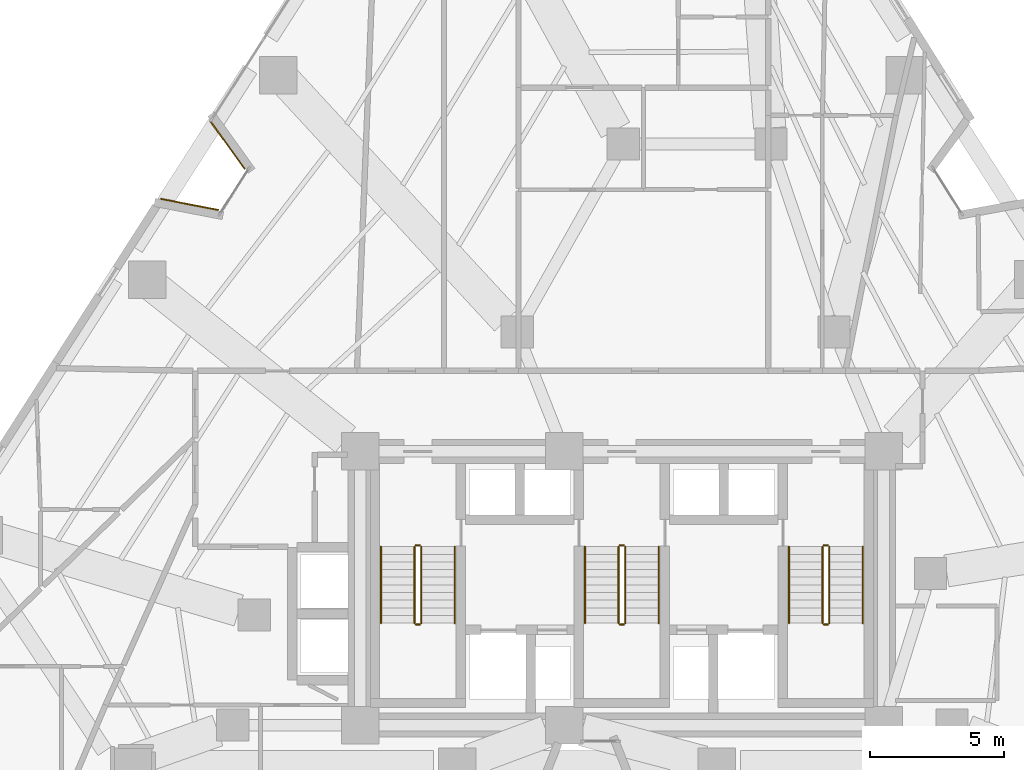
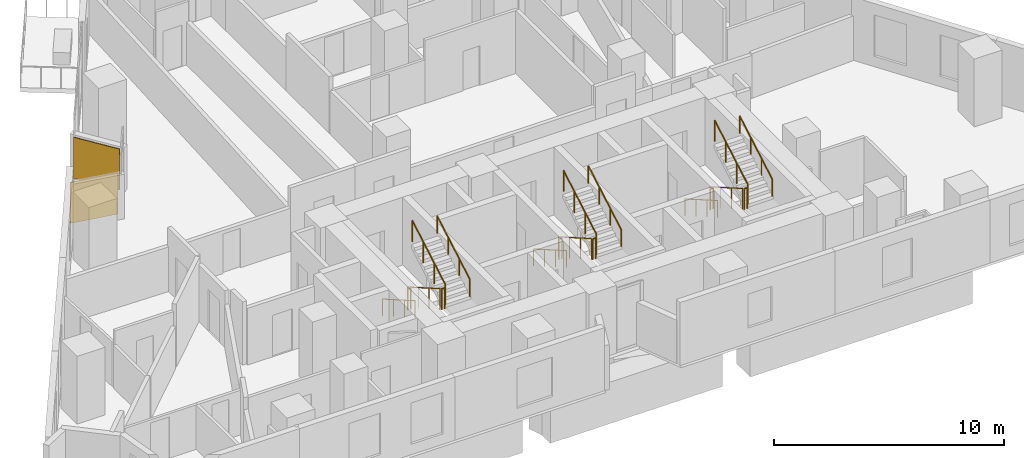
# One storey, part 12 of 13: 18 railings, 2 coverings.
"""IFC4 building model written with IfcOpenShell, lengths in metres."""

import ifcopenshell
import ifcopenshell.guid

model = None  # the IFC model being written
_history = None  # IfcOwnerHistory: only IFC2X3 demands one
_inside = {}  # id of a spatial element -> (the spatial element, [elements in it])
_under = {}  # id of a project, library or spatial element -> (it, [spatial elements below it])
_declared = {}  # id of a project -> (the project, [libraries it declares])
_typed = {}  # id of a type object -> (the type object, [elements of that type])
_made_of = {}  # id of a material, layer set ... -> (it, [elements and type objects made of it])


def new_model(schema):
    """Start an empty IFC model of exactly this schema.

    Asked for "IFC4X3", IfcOpenShell would pick the latest addendum, in which some entities
    have other attributes; the version numbers below select the first issue.
    IFC2X3 requires an IfcOwnerHistory on every rooted entity: one is made here for all.
    """
    global model, _history
    if schema == "IFC4X3":
        model = ifcopenshell.file(schema_version=(4, 3, 0, 0))
    else:
        model = ifcopenshell.file(schema=schema)
    _inside.clear()
    _under.clear()
    _declared.clear()
    _typed.clear()
    _made_of.clear()
    _history = None
    if model.schema == "IFC2X3":
        org = make("IfcOrganization", Name="unknown")
        user = make(
            "IfcPersonAndOrganization",
            ThePerson=make("IfcPerson", FamilyName="unknown"),
            TheOrganization=org,
        )
        app = make(
            "IfcApplication",
            ApplicationDeveloper=org,
            Version="unknown",
            ApplicationFullName="unknown",
            ApplicationIdentifier="unknown",
        )
        _history = make(
            "IfcOwnerHistory",
            OwningUser=user,
            OwningApplication=app,
            ChangeAction="ADDED",
            CreationDate=0,
        )
    return model


def make(cls, **values):
    """One entity of the class cls with the attributes given. An attribute that is None is left unset."""
    return model.create_entity(
        cls, **{name: value for name, value in values.items() if value is not None}
    )


def rooted(cls, **values):
    """An entity with a GlobalId (a new one), such as an element, a storey or a relation."""
    return make(cls, GlobalId=ifcopenshell.guid.new(), OwnerHistory=_history, **values)


def si_unit(unit_type, name, prefix=None):
    """IfcSIUnit, for example si_unit("LENGTHUNIT", "METRE", prefix="MILLI")."""
    return make("IfcSIUnit", UnitType=unit_type, Prefix=prefix, Name=name)


def assignment(units):
    """IfcUnitAssignment: the units of a project."""
    return None if units is None else make("IfcUnitAssignment", Units=units)


def point(xyz):
    """IfcCartesianPoint."""
    return None if xyz is None else make("IfcCartesianPoint", Coordinates=xyz)


def direction(xyz):
    """IfcDirection."""
    return None if xyz is None else make("IfcDirection", DirectionRatios=xyz)


def frame(location, z_axis=None, x_axis=None):
    """IfcAxis2Placement3D, a coordinate frame: its origin and axes. An axis left out is left unset."""
    return make(
        "IfcAxis2Placement3D",
        Location=point(location),
        Axis=direction(z_axis),
        RefDirection=direction(x_axis),
    )


def frame_2d(location, x_axis=None):
    """IfcAxis2Placement2D, a coordinate frame in the plane: its origin and x axis."""
    return make(
        "IfcAxis2Placement2D", Location=point(location), RefDirection=direction(x_axis)
    )


def origin():
    """The frame at (0, 0, 0) with its axes left unset."""
    return frame((0.0, 0.0, 0.0))


def origin_2d():
    """The frame at (0, 0) in the plane with its x axis left unset."""
    return frame_2d((0.0, 0.0))


def place(relative_to, where):
    """IfcLocalPlacement: puts the frame where relative to a parent placement (None: the world)."""
    return make(
        "IfcLocalPlacement", PlacementRelTo=relative_to, RelativePlacement=where
    )


def context(
    kind, dimensions, precision=None, world=None, true_north=None, identifier=None
):
    """IfcGeometricRepresentationContext, for example the 3D "Model" context."""
    return make(
        "IfcGeometricRepresentationContext",
        ContextIdentifier=identifier,
        ContextType=kind,
        CoordinateSpaceDimension=dimensions,
        Precision=precision,
        WorldCoordinateSystem=world,
        TrueNorth=true_north,
    )


def subcontext(parent, identifier, kind, view, scale=None):
    """IfcGeometricRepresentationSubContext, for example "Body" below "Model"."""
    return make(
        "IfcGeometricRepresentationSubContext",
        ContextIdentifier=identifier,
        ContextType=kind,
        ParentContext=parent,
        TargetScale=scale,
        TargetView=view,
    )


def project(units=None, contexts=None):
    """IfcProject with its units and contexts."""
    return rooted(
        "IfcProject",
        Name="project",
        RepresentationContexts=contexts,
        UnitsInContext=assignment(units),
    )


def spatial(cls, under=None, at=None, **own):
    """A site, building, storey or space (cls), placed at a placement, below another one or the project."""
    s = rooted(cls, ObjectPlacement=at, **own)
    if under is not None:
        _under.setdefault(under.id(), (under, []))[1].append(s)
    return s


def profile(cls, at=None, kind="AREA", **sizes):
    """A parametric profile (cls). Its sizes go by their IFC names, for example OverallWidth=200.0."""
    return make(cls, ProfileType=kind, Position=at, **sizes)


def rectangle(**sizes):
    """IfcRectangleProfileDef."""
    return profile("IfcRectangleProfileDef", **sizes)


def circle(**sizes):
    """IfcCircleProfileDef."""
    return profile("IfcCircleProfileDef", **sizes)


def extrude(swept, where, along, depth):
    """IfcExtrudedAreaSolid: the profile swept, set in the frame where, extruded along a direction by depth."""
    return make(
        "IfcExtrudedAreaSolid",
        SweptArea=swept,
        Position=where,
        ExtrudedDirection=direction(along),
        Depth=depth,
    )


def shape(context_of_items, identifier, shape_type, items):
    """IfcShapeRepresentation: the items that make up one representation, for example the "Body"."""
    return make(
        "IfcShapeRepresentation",
        ContextOfItems=context_of_items,
        RepresentationIdentifier=identifier,
        RepresentationType=shape_type,
        Items=items,
    )


def material(Name=None, Category=None):
    """IfcMaterial."""
    return make("IfcMaterial", Name=Name, Category=Category)


def layer(
    of_material, thickness, ventilated=None, Name=None, Category=None, Priority=None
):
    """IfcMaterialLayer: one layer of a wall or slab, of a material (None: an air gap)."""
    return make(
        "IfcMaterialLayer",
        Material=of_material,
        LayerThickness=thickness,
        IsVentilated=ventilated,
        Name=Name,
        Category=Category,
        Priority=Priority,
    )


def layer_set(layers, Name=None):
    """IfcMaterialLayerSet."""
    return make("IfcMaterialLayerSet", MaterialLayers=layers, LayerSetName=Name)


def made_of(thing, what):
    """Note that an element or type object is made of a material, layer set ...; save() writes the relation."""
    if what is not None:
        _made_of.setdefault(what.id(), (what, []))[1].append(thing)
    return thing


def type_object(cls, material=None, **own):
    """A type object (cls), such as IfcWallType, which elements share."""
    return made_of(rooted(cls, **own), material)


def element(
    cls,
    number,
    at=None,
    inside=None,
    cuts=None,
    type_object=None,
    material=None,
    context=None,
    identifier="Body",
    shape_type=None,
    held_by="IfcProductDefinitionShape",
    body=None,
    shapes=None,
    **own,
):
    """One element of the class cls, such as IfcWall. Its Tag is "e" and its number.

    at: its placement. inside: the storey or other place that contains it. cuts: it is an
    opening in that element (IfcRelVoidsElement). A single representation is given by context,
    identifier, shape_type and body (its items); several are given by shapes. held_by: the class
    of the entity that holds the representations. save() writes the other relations.
    """
    e = rooted(cls, Tag="e%d" % number, ObjectPlacement=at, **own)
    if body is not None:
        shapes = [shape(context, identifier, shape_type, body)]
    if shapes is not None:
        e.Representation = make(held_by, Representations=shapes)
    if inside is not None:
        _inside.setdefault(inside.id(), (inside, []))[1].append(e)
    if cuts is not None:
        rooted(
            "IfcRelVoidsElement", RelatingBuildingElement=cuts, RelatedOpeningElement=e
        )
    if type_object is not None:
        _typed.setdefault(type_object.id(), (type_object, []))[1].append(e)
    return made_of(e, material)


def aggregate(whole, parts):
    """IfcRelAggregates: a whole, such as a stair, and the parts it consists of."""
    return rooted("IfcRelAggregates", RelatingObject=whole, RelatedObjects=parts)


def save(model, path):
    """Write the relations noted so far, then the file.

    IfcRelAggregates (storeys below a building ...), IfcRelContainedInSpatialStructure (elements
    in a storey), IfcRelDefinesByType, IfcRelAssociatesMaterial and IfcRelDeclares: one each for
    every whole, place, type object, material and project.
    """
    for whole, parts in _under.values():
        aggregate(whole, parts)
    for where, things in _inside.values():
        rooted(
            "IfcRelContainedInSpatialStructure",
            RelatedElements=things,
            RelatingStructure=where,
        )
    for kind, things in _typed.values():
        rooted("IfcRelDefinesByType", RelatedObjects=things, RelatingType=kind)
    for what, things in _made_of.values():
        rooted("IfcRelAssociatesMaterial", RelatedObjects=things, RelatingMaterial=what)
    for by, libraries in _declared.values():
        rooted("IfcRelDeclares", RelatingContext=by, RelatedDefinitions=libraries)
    model.write(path)


model = new_model("IFC4")

# Units and contexts
model_context = context("Model", 3, precision=1e-05, world=origin(), true_north=direction((0.0, 1.0)))
body_context = subcontext(model_context, "Body", "Model", "MODEL_VIEW")
ifc_project = project(units=[si_unit("LENGTHUNIT", "METRE"), si_unit("AREAUNIT", "SQUARE_METRE"), si_unit("VOLUMEUNIT", "CUBIC_METRE"), si_unit("PLANEANGLEUNIT", "RADIAN"), si_unit("MASSUNIT", "GRAM", prefix="KILO")], contexts=[model_context])

# Site, building, storey
site_placement = place(None, origin())
site = spatial("IfcSite", under=ifc_project, at=site_placement, CompositionType="ELEMENT")
building_placement = place(site_placement, origin())
building = spatial("IfcBuilding", under=site, at=building_placement, Name="Almagre Mirador Tower", CompositionType="ELEMENT")
storey_placement = place(building_placement, frame((0.0, 0.0, 53.39990234375)))
storey = spatial("IfcBuildingStorey", under=building, at=storey_placement, Name="L12", CompositionType="ELEMENT", Elevation=53.39990234375)

# Coverings
ifc_material_1 = material(Name="Almagre terracotta architectural cladding", Category="masonry")
ifc_layer = layer(ifc_material_1, 0.044921875)
ifc_layer_set = layer_set([ifc_layer], Name="Almagre terracotta architectural cladding")
covering_type = type_object("IfcCoveringType", Name="COV-CLAD-ALMAGRE", PredefinedType="CLADDING", material=ifc_layer_set)
covering_1_placement = place(storey_placement, frame((21.193359375, 23.949462890625, 0.10009765625), z_axis=(0.0, 0.0, 1.0), x_axis=(0.981746878502, -0.190192183203, 0.0)))
element("IfcCovering", 1, at=covering_1_placement, inside=storey, type_object=covering_type, Name="L12 almagre terracotta pier cladding", PredefinedType="CLADDING", context=body_context, shape_type="SweptSolid", body=[
    extrude(rectangle(XDim=2.193115234375, YDim=0.044921875, at=origin_2d()), origin(), (0.0, 0.0, 1.0), 2.175048828125),
])
covering_2_placement = place(storey_placement, frame((22.609375, 26.159423828125, 0.10009765625), z_axis=(0.0, 0.0, 1.0), x_axis=(-0.583002488864, 0.812470367446, 0.0)))
element("IfcCovering", 2, at=covering_2_placement, inside=storey, type_object=covering_type, Name="L12 almagre terracotta pier cladding", PredefinedType="CLADDING", context=body_context, shape_type="SweptSolid", body=[
    extrude(rectangle(XDim=2.194091796875, YDim=0.044921875, at=origin_2d()), origin(), (0.0, 0.0, 1.0), 2.175048828125),
])

# Railings
ifc_material_2 = material(Name="Painted galvanized steel", Category="steel")
railing_type_1 = type_object("IfcRailingType", Name="RLG-GRD-1100", PredefinedType="GUARDRAIL", material=ifc_material_2)
railing_1_placement = place(storey_placement, frame((29.574951171875, 11.199951171875, 0.163818359375)))
element("IfcRailing", 3, at=railing_1_placement, inside=storey, type_object=railing_type_1, Name="L12 ST-1 stair guard 1", PredefinedType="GUARDRAIL", context=body_context, shape_type="SweptSolid", body=[
    extrude(circle(Radius=0.02392578125, at=origin_2d()), frame((0.0, 0.0, 1.09619140625), z_axis=(0.0, -0.867226363773, 0.497914082927), x_axis=(1.0, 0.0, 0.0)), (0.0, 0.0, 1.0), 3.2861328125),
    extrude(circle(Radius=0.02099609375, at=origin_2d()), origin(), (0.0, 0.0, 1.0), 1.072021484375),
    extrude(circle(Radius=0.02099609375, at=origin_2d()), frame((0.0, -0.949951171875, 0.54541015625)), (0.0, 0.0, 1.0), 1.072021484375),
    extrude(circle(Radius=0.02099609375, at=origin_2d()), frame((0.0, -1.89990234375, 1.0908203125)), (0.0, 0.0, 1.0), 1.072021484375),
    extrude(circle(Radius=0.02099609375, at=origin_2d()), frame((0.0, -2.849853515625, 1.63623046875)), (0.0, 0.0, 1.0), 1.072021484375),
])
railing_2_placement = place(storey_placement, frame((29.625, 8.300048828125, 1.800048828125)))
element("IfcRailing", 4, at=railing_2_placement, inside=storey, type_object=railing_type_1, Name="L12 ST-1 stair guard 2", PredefinedType="GUARDRAIL", context=body_context, shape_type="SweptSolid", body=[
    extrude(circle(Radius=0.02392578125, at=origin_2d()), frame((0.0, 0.0, 1.09619140625), z_axis=(1.0, 0.0, 0.0), x_axis=(0.0, 1.0, 0.0)), (0.0, 0.0, 1.0), 0.14990234375),
    extrude(circle(Radius=0.02099609375, at=origin_2d()), origin(), (0.0, 0.0, 1.0), 1.072021484375),
    extrude(circle(Radius=0.02099609375, at=origin_2d()), frame((0.14990234375, 0.0, 0.0)), (0.0, 0.0, 1.0), 1.072021484375),
])
railing_3_placement = place(storey_placement, frame((29.824951171875, 8.35009765625, 1.963623046875)))
element("IfcRailing", 5, at=railing_3_placement, inside=storey, type_object=railing_type_1, Name="L12 ST-1 stair guard 3", PredefinedType="GUARDRAIL", context=body_context, shape_type="SweptSolid", body=[
    extrude(circle(Radius=0.02392578125, at=origin_2d()), frame((0.0, 0.0, 1.09619140625), z_axis=(0.0, 0.867194282975, 0.497969954491), x_axis=(-1.0, 0.0, 0.0)), (0.0, 0.0, 1.0), 3.286376953125),
    extrude(circle(Radius=0.02099609375, at=origin_2d()), origin(), (0.0, 0.0, 1.0), 1.072021484375),
    extrude(circle(Radius=0.02099609375, at=origin_2d()), frame((0.0, 0.949951171875, 0.54541015625)), (0.0, 0.0, 1.0), 1.072021484375),
    extrude(circle(Radius=0.02099609375, at=origin_2d()), frame((0.0, 1.89990234375, 1.091064453125)), (0.0, 0.0, 1.0), 1.072021484375),
    extrude(circle(Radius=0.02099609375, at=origin_2d()), frame((0.0, 2.849853515625, 1.636474609375)), (0.0, 0.0, 1.0), 1.072021484375),
])
railing_4_placement = place(storey_placement, frame((29.625, 11.25, 0.0)))
element("IfcRailing", 6, at=railing_4_placement, inside=storey, type_object=railing_type_1, Name="L12 ST-1 stair guard 4", PredefinedType="GUARDRAIL", context=body_context, shape_type="SweptSolid", body=[
    extrude(circle(Radius=0.02392578125, at=origin_2d()), frame((0.0, 0.0, 1.09619140625), z_axis=(1.0, 0.0, 0.0), x_axis=(0.0, 1.0, 0.0)), (0.0, 0.0, 1.0), 0.14990234375),
    extrude(circle(Radius=0.02099609375, at=origin_2d()), origin(), (0.0, 0.0, 1.0), 1.072021484375),
    extrude(circle(Radius=0.02099609375, at=origin_2d()), frame((0.14990234375, 0.0, 0.0)), (0.0, 0.0, 1.0), 1.072021484375),
])
railing_5_placement = place(storey_placement, frame((37.175048828125, 11.199951171875, 0.163818359375)))
element("IfcRailing", 7, at=railing_5_placement, inside=storey, type_object=railing_type_1, Name="L12 ST-2 stair guard 1", PredefinedType="GUARDRAIL", context=body_context, shape_type="SweptSolid", body=[
    extrude(circle(Radius=0.02392578125, at=origin_2d()), frame((0.0, 0.0, 1.09619140625), z_axis=(0.0, -0.867226363773, 0.497914082927), x_axis=(1.0, 0.0, 0.0)), (0.0, 0.0, 1.0), 3.2861328125),
    extrude(circle(Radius=0.02099609375, at=origin_2d()), origin(), (0.0, 0.0, 1.0), 1.072021484375),
    extrude(circle(Radius=0.02099609375, at=origin_2d()), frame((0.0, -0.949951171875, 0.54541015625)), (0.0, 0.0, 1.0), 1.072021484375),
    extrude(circle(Radius=0.02099609375, at=origin_2d()), frame((0.0, -1.89990234375, 1.0908203125)), (0.0, 0.0, 1.0), 1.072021484375),
    extrude(circle(Radius=0.02099609375, at=origin_2d()), frame((0.0, -2.849853515625, 1.63623046875)), (0.0, 0.0, 1.0), 1.072021484375),
])
railing_6_placement = place(storey_placement, frame((37.22509765625, 8.300048828125, 1.800048828125)))
element("IfcRailing", 8, at=railing_6_placement, inside=storey, type_object=railing_type_1, Name="L12 ST-2 stair guard 2", PredefinedType="GUARDRAIL", context=body_context, shape_type="SweptSolid", body=[
    extrude(circle(Radius=0.02392578125, at=origin_2d()), frame((0.0, 0.0, 1.09619140625), z_axis=(1.0, 0.0, 0.0), x_axis=(0.0, 1.0, 0.0)), (0.0, 0.0, 1.0), 0.14990234375),
    extrude(circle(Radius=0.02099609375, at=origin_2d()), origin(), (0.0, 0.0, 1.0), 1.072021484375),
    extrude(circle(Radius=0.02099609375, at=origin_2d()), frame((0.14990234375, 0.0, 0.0)), (0.0, 0.0, 1.0), 1.072021484375),
])
railing_7_placement = place(storey_placement, frame((37.425048828125, 8.35009765625, 1.963623046875)))
element("IfcRailing", 9, at=railing_7_placement, inside=storey, type_object=railing_type_1, Name="L12 ST-2 stair guard 3", PredefinedType="GUARDRAIL", context=body_context, shape_type="SweptSolid", body=[
    extrude(circle(Radius=0.02392578125, at=origin_2d()), frame((0.0, 0.0, 1.09619140625), z_axis=(0.0, 0.867194282975, 0.497969954491), x_axis=(-1.0, 0.0, 0.0)), (0.0, 0.0, 1.0), 3.286376953125),
    extrude(circle(Radius=0.02099609375, at=origin_2d()), origin(), (0.0, 0.0, 1.0), 1.072021484375),
    extrude(circle(Radius=0.02099609375, at=origin_2d()), frame((0.0, 0.949951171875, 0.54541015625)), (0.0, 0.0, 1.0), 1.072021484375),
    extrude(circle(Radius=0.02099609375, at=origin_2d()), frame((0.0, 1.89990234375, 1.091064453125)), (0.0, 0.0, 1.0), 1.072021484375),
    extrude(circle(Radius=0.02099609375, at=origin_2d()), frame((0.0, 2.849853515625, 1.636474609375)), (0.0, 0.0, 1.0), 1.072021484375),
])
railing_8_placement = place(storey_placement, frame((37.22509765625, 11.25, 0.0)))
element("IfcRailing", 10, at=railing_8_placement, inside=storey, type_object=railing_type_1, Name="L12 ST-2 stair guard 4", PredefinedType="GUARDRAIL", context=body_context, shape_type="SweptSolid", body=[
    extrude(circle(Radius=0.02392578125, at=origin_2d()), frame((0.0, 0.0, 1.09619140625), z_axis=(1.0, 0.0, 0.0), x_axis=(0.0, 1.0, 0.0)), (0.0, 0.0, 1.0), 0.14990234375),
    extrude(circle(Radius=0.02099609375, at=origin_2d()), origin(), (0.0, 0.0, 1.0), 1.072021484375),
    extrude(circle(Radius=0.02099609375, at=origin_2d()), frame((0.14990234375, 0.0, 0.0)), (0.0, 0.0, 1.0), 1.072021484375),
])
railing_9_placement = place(storey_placement, frame((44.77490234375, 11.199951171875, 0.163818359375)))
element("IfcRailing", 11, at=railing_9_placement, inside=storey, type_object=railing_type_1, Name="L12 ST-3 stair guard 1", PredefinedType="GUARDRAIL", context=body_context, shape_type="SweptSolid", body=[
    extrude(circle(Radius=0.02392578125, at=origin_2d()), frame((0.0, 0.0, 1.09619140625), z_axis=(0.0, -0.867226363773, 0.497914082927), x_axis=(1.0, 0.0, 0.0)), (0.0, 0.0, 1.0), 3.2861328125),
    extrude(circle(Radius=0.02099609375, at=origin_2d()), origin(), (0.0, 0.0, 1.0), 1.072021484375),
    extrude(circle(Radius=0.02099609375, at=origin_2d()), frame((0.0, -0.949951171875, 0.54541015625)), (0.0, 0.0, 1.0), 1.072021484375),
    extrude(circle(Radius=0.02099609375, at=origin_2d()), frame((0.0, -1.89990234375, 1.0908203125)), (0.0, 0.0, 1.0), 1.072021484375),
    extrude(circle(Radius=0.02099609375, at=origin_2d()), frame((0.0, -2.849853515625, 1.63623046875)), (0.0, 0.0, 1.0), 1.072021484375),
])
railing_10_placement = place(storey_placement, frame((44.824951171875, 8.300048828125, 1.800048828125)))
element("IfcRailing", 12, at=railing_10_placement, inside=storey, type_object=railing_type_1, Name="L12 ST-3 stair guard 2", PredefinedType="GUARDRAIL", context=body_context, shape_type="SweptSolid", body=[
    extrude(circle(Radius=0.02392578125, at=origin_2d()), frame((0.0, 0.0, 1.09619140625), z_axis=(1.0, 0.0, 0.0), x_axis=(0.0, 1.0, 0.0)), (0.0, 0.0, 1.0), 0.150146484375),
    extrude(circle(Radius=0.02099609375, at=origin_2d()), origin(), (0.0, 0.0, 1.0), 1.072021484375),
    extrude(circle(Radius=0.02099609375, at=origin_2d()), frame((0.150146484375, 0.0, 0.0)), (0.0, 0.0, 1.0), 1.072021484375),
])
railing_11_placement = place(storey_placement, frame((45.02490234375, 8.35009765625, 1.963623046875)))
element("IfcRailing", 13, at=railing_11_placement, inside=storey, type_object=railing_type_1, Name="L12 ST-3 stair guard 3", PredefinedType="GUARDRAIL", context=body_context, shape_type="SweptSolid", body=[
    extrude(circle(Radius=0.02392578125, at=origin_2d()), frame((0.0, 0.0, 1.09619140625), z_axis=(0.0, 0.867194282975, 0.497969954491), x_axis=(-1.0, 0.0, 0.0)), (0.0, 0.0, 1.0), 3.286376953125),
    extrude(circle(Radius=0.02099609375, at=origin_2d()), origin(), (0.0, 0.0, 1.0), 1.072021484375),
    extrude(circle(Radius=0.02099609375, at=origin_2d()), frame((0.0, 0.949951171875, 0.54541015625)), (0.0, 0.0, 1.0), 1.072021484375),
    extrude(circle(Radius=0.02099609375, at=origin_2d()), frame((0.0, 1.89990234375, 1.091064453125)), (0.0, 0.0, 1.0), 1.072021484375),
    extrude(circle(Radius=0.02099609375, at=origin_2d()), frame((0.0, 2.849853515625, 1.636474609375)), (0.0, 0.0, 1.0), 1.072021484375),
])
railing_12_placement = place(storey_placement, frame((44.824951171875, 11.25, 0.0)))
element("IfcRailing", 14, at=railing_12_placement, inside=storey, type_object=railing_type_1, Name="L12 ST-3 stair guard 4", PredefinedType="GUARDRAIL", context=body_context, shape_type="SweptSolid", body=[
    extrude(circle(Radius=0.02392578125, at=origin_2d()), frame((0.0, 0.0, 1.09619140625), z_axis=(1.0, 0.0, 0.0), x_axis=(0.0, 1.0, 0.0)), (0.0, 0.0, 1.0), 0.150146484375),
    extrude(circle(Radius=0.02099609375, at=origin_2d()), origin(), (0.0, 0.0, 1.0), 1.072021484375),
    extrude(circle(Radius=0.02099609375, at=origin_2d()), frame((0.150146484375, 0.0, 0.0)), (0.0, 0.0, 1.0), 1.072021484375),
])
ifc_material_3 = material(Name="Brushed stainless steel", Category="steel")
railing_type_2 = type_object("IfcRailingType", Name="RLG-HND-915", PredefinedType="HANDRAIL", material=ifc_material_3)
railing_13_placement = place(storey_placement, frame((28.324951171875, 11.199951171875, 0.163818359375)))
element("IfcRailing", 15, at=railing_13_placement, inside=storey, type_object=railing_type_2, Name="L12 ST-1 stair handrail 1", PredefinedType="HANDRAIL", context=body_context, shape_type="SweptSolid", body=[
    extrude(circle(Radius=0.02392578125, at=origin_2d()), frame((0.0, 0.0, 0.89111328125), z_axis=(0.0, -0.867226363773, 0.497914082927), x_axis=(1.0, 0.0, 0.0)), (0.0, 0.0, 1.0), 3.2861328125),
    extrude(circle(Radius=0.02099609375, at=origin_2d()), origin(), (0.0, 0.0, 1.0), 0.866943359375),
    extrude(circle(Radius=0.02099609375, at=origin_2d()), frame((0.0, -0.949951171875, 0.54541015625)), (0.0, 0.0, 1.0), 0.866943359375),
    extrude(circle(Radius=0.02099609375, at=origin_2d()), frame((0.0, -1.89990234375, 1.0908203125)), (0.0, 0.0, 1.0), 0.866943359375),
    extrude(circle(Radius=0.02099609375, at=origin_2d()), frame((0.0, -2.849853515625, 1.63623046875)), (0.0, 0.0, 1.0), 0.866943359375),
])
railing_14_placement = place(storey_placement, frame((31.074951171875, 8.35009765625, 1.963623046875)))
element("IfcRailing", 16, at=railing_14_placement, inside=storey, type_object=railing_type_2, Name="L12 ST-1 stair handrail 2", PredefinedType="HANDRAIL", context=body_context, shape_type="SweptSolid", body=[
    extrude(circle(Radius=0.02392578125, at=origin_2d()), frame((0.0, 0.0, 0.89111328125), z_axis=(0.0, 0.867194282975, 0.497969954491), x_axis=(-1.0, 0.0, 0.0)), (0.0, 0.0, 1.0), 3.286376953125),
    extrude(circle(Radius=0.02099609375, at=origin_2d()), origin(), (0.0, 0.0, 1.0), 0.866943359375),
    extrude(circle(Radius=0.02099609375, at=origin_2d()), frame((0.0, 0.949951171875, 0.54541015625)), (0.0, 0.0, 1.0), 0.866943359375),
    extrude(circle(Radius=0.02099609375, at=origin_2d()), frame((0.0, 1.89990234375, 1.091064453125)), (0.0, 0.0, 1.0), 0.866943359375),
    extrude(circle(Radius=0.02099609375, at=origin_2d()), frame((0.0, 2.849853515625, 1.636474609375)), (0.0, 0.0, 1.0), 0.866943359375),
])
railing_15_placement = place(storey_placement, frame((35.925048828125, 11.199951171875, 0.163818359375)))
element("IfcRailing", 17, at=railing_15_placement, inside=storey, type_object=railing_type_2, Name="L12 ST-2 stair handrail 1", PredefinedType="HANDRAIL", context=body_context, shape_type="SweptSolid", body=[
    extrude(circle(Radius=0.02392578125, at=origin_2d()), frame((0.0, 0.0, 0.89111328125), z_axis=(0.0, -0.867226363773, 0.497914082927), x_axis=(1.0, 0.0, 0.0)), (0.0, 0.0, 1.0), 3.2861328125),
    extrude(circle(Radius=0.02099609375, at=origin_2d()), origin(), (0.0, 0.0, 1.0), 0.866943359375),
    extrude(circle(Radius=0.02099609375, at=origin_2d()), frame((0.0, -0.949951171875, 0.54541015625)), (0.0, 0.0, 1.0), 0.866943359375),
    extrude(circle(Radius=0.02099609375, at=origin_2d()), frame((0.0, -1.89990234375, 1.0908203125)), (0.0, 0.0, 1.0), 0.866943359375),
    extrude(circle(Radius=0.02099609375, at=origin_2d()), frame((0.0, -2.849853515625, 1.63623046875)), (0.0, 0.0, 1.0), 0.866943359375),
])
railing_16_placement = place(storey_placement, frame((38.675048828125, 8.35009765625, 1.963623046875)))
element("IfcRailing", 18, at=railing_16_placement, inside=storey, type_object=railing_type_2, Name="L12 ST-2 stair handrail 2", PredefinedType="HANDRAIL", context=body_context, shape_type="SweptSolid", body=[
    extrude(circle(Radius=0.02392578125, at=origin_2d()), frame((0.0, 0.0, 0.89111328125), z_axis=(0.0, 0.867194282975, 0.497969954491), x_axis=(-1.0, 0.0, 0.0)), (0.0, 0.0, 1.0), 3.286376953125),
    extrude(circle(Radius=0.02099609375, at=origin_2d()), origin(), (0.0, 0.0, 1.0), 0.866943359375),
    extrude(circle(Radius=0.02099609375, at=origin_2d()), frame((0.0, 0.949951171875, 0.54541015625)), (0.0, 0.0, 1.0), 0.866943359375),
    extrude(circle(Radius=0.02099609375, at=origin_2d()), frame((0.0, 1.89990234375, 1.091064453125)), (0.0, 0.0, 1.0), 0.866943359375),
    extrude(circle(Radius=0.02099609375, at=origin_2d()), frame((0.0, 2.849853515625, 1.636474609375)), (0.0, 0.0, 1.0), 0.866943359375),
])
railing_17_placement = place(storey_placement, frame((43.52490234375, 11.199951171875, 0.163818359375)))
element("IfcRailing", 19, at=railing_17_placement, inside=storey, type_object=railing_type_2, Name="L12 ST-3 stair handrail 1", PredefinedType="HANDRAIL", context=body_context, shape_type="SweptSolid", body=[
    extrude(circle(Radius=0.02392578125, at=origin_2d()), frame((0.0, 0.0, 0.89111328125), z_axis=(0.0, -0.867226363773, 0.497914082927), x_axis=(1.0, 0.0, 0.0)), (0.0, 0.0, 1.0), 3.2861328125),
    extrude(circle(Radius=0.02099609375, at=origin_2d()), origin(), (0.0, 0.0, 1.0), 0.866943359375),
    extrude(circle(Radius=0.02099609375, at=origin_2d()), frame((0.0, -0.949951171875, 0.54541015625)), (0.0, 0.0, 1.0), 0.866943359375),
    extrude(circle(Radius=0.02099609375, at=origin_2d()), frame((0.0, -1.89990234375, 1.0908203125)), (0.0, 0.0, 1.0), 0.866943359375),
    extrude(circle(Radius=0.02099609375, at=origin_2d()), frame((0.0, -2.849853515625, 1.63623046875)), (0.0, 0.0, 1.0), 0.866943359375),
])
railing_18_placement = place(storey_placement, frame((46.27490234375, 8.35009765625, 1.963623046875)))
element("IfcRailing", 20, at=railing_18_placement, inside=storey, type_object=railing_type_2, Name="L12 ST-3 stair handrail 2", PredefinedType="HANDRAIL", context=body_context, shape_type="SweptSolid", body=[
    extrude(circle(Radius=0.02392578125, at=origin_2d()), frame((0.0, 0.0, 0.89111328125), z_axis=(0.0, 0.867194282975, 0.497969954491), x_axis=(-1.0, 0.0, 0.0)), (0.0, 0.0, 1.0), 3.286376953125),
    extrude(circle(Radius=0.02099609375, at=origin_2d()), origin(), (0.0, 0.0, 1.0), 0.866943359375),
    extrude(circle(Radius=0.02099609375, at=origin_2d()), frame((0.0, 0.949951171875, 0.54541015625)), (0.0, 0.0, 1.0), 0.866943359375),
    extrude(circle(Radius=0.02099609375, at=origin_2d()), frame((0.0, 1.89990234375, 1.091064453125)), (0.0, 0.0, 1.0), 0.866943359375),
    extrude(circle(Radius=0.02099609375, at=origin_2d()), frame((0.0, 2.849853515625, 1.636474609375)), (0.0, 0.0, 1.0), 0.866943359375),
])

save(model, "model.ifc")
